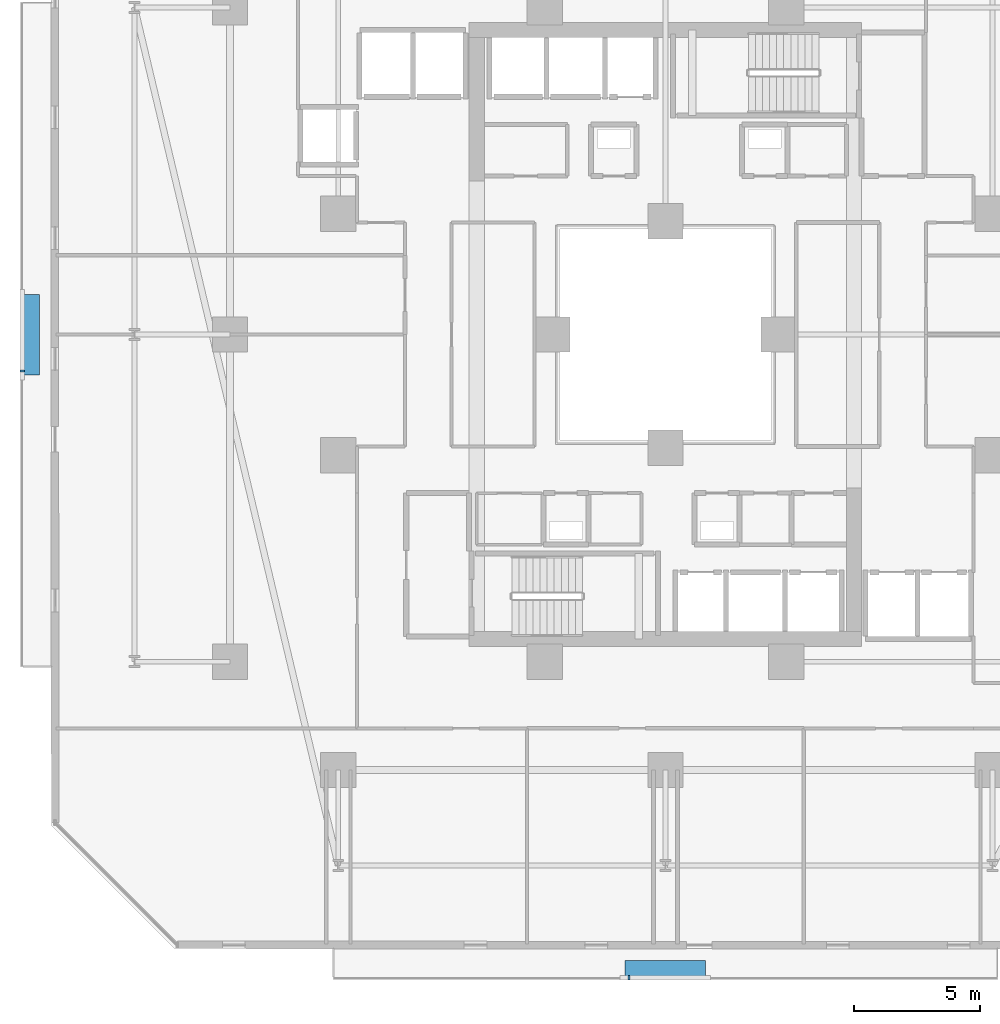
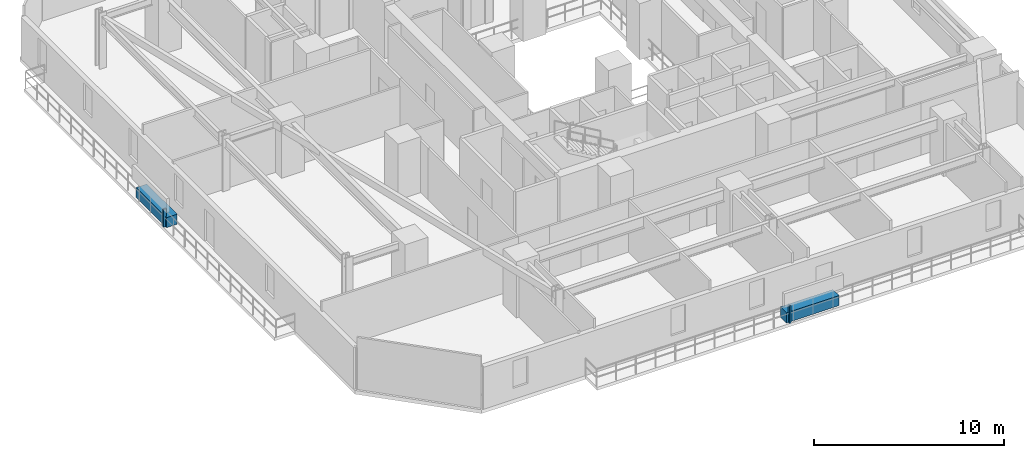
# One storey, part 27 of 33: 4 discrete accessories.
"""IFC4 building model written with IfcOpenShell, lengths in metres."""

from ifc_helpers import new_model, si_unit, direction, frame, origin, origin_2d, place, context, subcontext, project, spatial, rectangle, extrude, material, type_object, element, save


model = new_model("IFC4")

# Units and contexts
model_context = context("Model", 3, precision=1e-05, world=origin(), true_north=direction((0.0, 1.0)))
body_context = subcontext(model_context, "Body", "Model", "MODEL_VIEW")
ifc_project = project(units=[si_unit("LENGTHUNIT", "METRE"), si_unit("AREAUNIT", "SQUARE_METRE"), si_unit("VOLUMEUNIT", "CUBIC_METRE"), si_unit("PLANEANGLEUNIT", "RADIAN"), si_unit("MASSUNIT", "GRAM", prefix="KILO")], contexts=[model_context])

# Site, building, storey
site_placement = place(None, origin())
site = spatial("IfcSite", under=ifc_project, at=site_placement, CompositionType="ELEMENT")
building_placement = place(site_placement, origin())
building = spatial("IfcBuilding", under=site, at=building_placement, Name="Thornwick Lancets Civic Towers", CompositionType="ELEMENT")
storey_placement = place(building_placement, frame((0.0, 0.0, 42.300048828125)))
storey = spatial("IfcBuildingStorey", under=building, at=storey_placement, Name="L10", CompositionType="ELEMENT", Elevation=42.300048828125)

# Discrete accessories
ifc_material_1 = material(Name="Planted terracotta greenery planter", Category="masonry")
discrete_accessory_type_1 = type_object("IfcDiscreteAccessoryType", Name="ACC_PLANTER_BOX", PredefinedType="USERDEFINED", material=ifc_material_1)
discrete_accessory_1_placement = place(storey_placement, frame((25.5, 1.800048828125, 0.0), z_axis=(0.0, 0.0, 1.0), x_axis=(1.0, 0.0, 0.0)))
element("IfcDiscreteAccessory", 1, at=discrete_accessory_1_placement, inside=storey, type_object=discrete_accessory_type_1, Name="L10 Tower A Balcony Greenery Planter S", ObjectType="PLANTER", PredefinedType="USERDEFINED", context=body_context, shape_type="SweptSolid", body=[
    extrude(rectangle(XDim=3.199951171875, YDim=0.64990234375, at=origin_2d()), origin(), (0.0, 0.0, 1.0), 0.64990234375),
])
discrete_accessory_2_placement = place(storey_placement, frame((0.300048828125, 27.0, 0.0), z_axis=(0.0, 0.0, 1.0), x_axis=(1.0, 0.0, 0.0)))
element("IfcDiscreteAccessory", 2, at=discrete_accessory_2_placement, inside=storey, type_object=discrete_accessory_type_1, Name="L10 Tower A Balcony Greenery Planter W", ObjectType="PLANTER", PredefinedType="USERDEFINED", context=body_context, shape_type="SweptSolid", body=[
    extrude(rectangle(XDim=0.64990234375, YDim=3.199951171875, at=origin_2d()), origin(), (0.0, 0.0, 1.0), 0.64990234375),
])
ifc_material_2 = material(Name="Stainless steel S355", Category="steel")
discrete_accessory_type_2 = type_object("IfcDiscreteAccessoryType", Name="ACC_SCREEN_BRACKET", PredefinedType="BRACKET", material=ifc_material_2)
for number, where, z_axis, x_axis, name in (
    (3, (24.050048828125, 1.43994140625, 0.0), (0.0, 0.0, 1.0), (1.0, 0.0, 0.0), "L10 Tower A Balcony Screen Stanchion Bracket S-1"),
    (4, (-0.06005859375, 25.550048828125, 0.0), (0.0, 0.0, 1.0), (0.0, 1.0, 0.0), "L10 Tower A Balcony Screen Stanchion Bracket W-1"),
):
    element("IfcDiscreteAccessory", number, at=place(storey_placement, frame(where, z_axis=z_axis, x_axis=x_axis)), inside=storey, type_object=discrete_accessory_type_2, Name=name, PredefinedType="BRACKET", context=body_context, shape_type="SweptSolid", body=[
        extrude(rectangle(XDim=0.080078125, YDim=0.179931640625, at=origin_2d()), origin(), (0.0, 0.0, 1.0), 1.14990234375),
    ])

save(model, "model.ifc")
